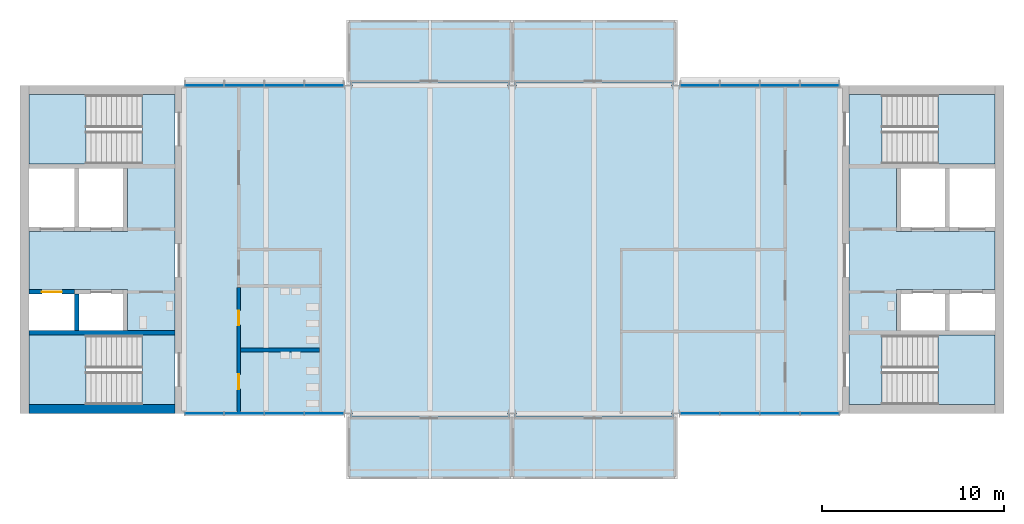
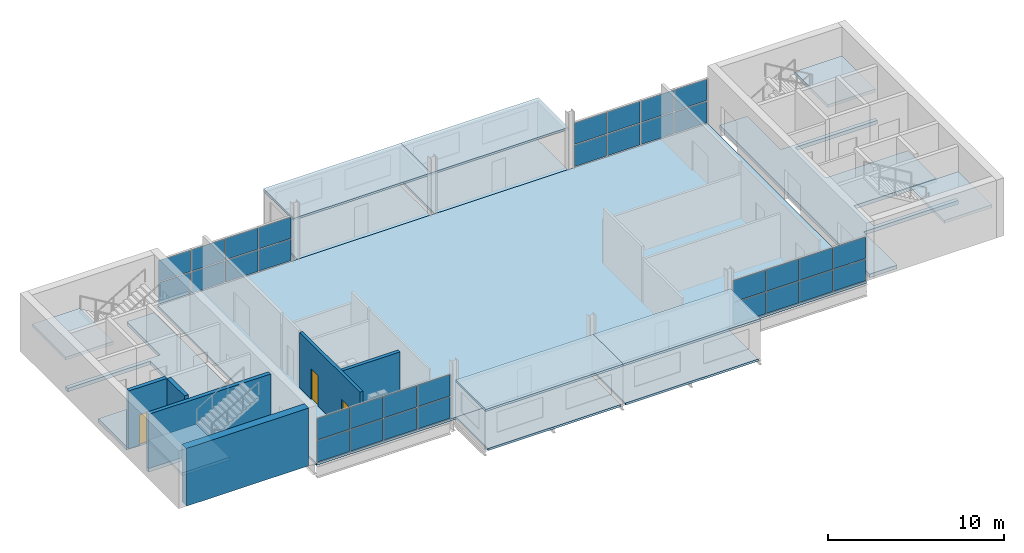
# One storey, part 4 of 10: 32 plates, 15 slabs, 6 walls, 3 doors, 3 openings, 8 elements without a shape of their own.
"""IFC4 building model written with IfcOpenShell, lengths in metres."""

from ifc_helpers import new_model, si_unit, direction, frame, frame_2d, origin, origin_2d, place, context, subcontext, project, spatial, polyline, rectangle, outline, extrude, material, layer, layer_set, type_object, element, fill, aggregate, save


model = new_model("IFC4")

# Units and contexts
model_context = context("Model", 3, precision=1e-05, world=origin(), true_north=direction((0.0, 1.0)))
body_context = subcontext(model_context, "Body", "Model", "MODEL_VIEW")
ifc_project = project(units=[si_unit("LENGTHUNIT", "METRE"), si_unit("AREAUNIT", "SQUARE_METRE"), si_unit("VOLUMEUNIT", "CUBIC_METRE"), si_unit("PLANEANGLEUNIT", "RADIAN"), si_unit("MASSUNIT", "GRAM", prefix="KILO")], contexts=[model_context])

# Site, building, storey
site_placement = place(None, origin())
site = spatial("IfcSite", under=ifc_project, at=site_placement, CompositionType="ELEMENT")
building_placement = place(site_placement, origin())
building = spatial("IfcBuilding", under=site, at=building_placement, Name="Corbel Yard City Hall", CompositionType="ELEMENT")
storey_placement = place(building_placement, frame((0.0, 0.0, 27.199951171875)))
storey = spatial("IfcBuildingStorey", under=building, at=storey_placement, Name="L06", CompositionType="ELEMENT", Elevation=27.199951171875)

# Slabs
ifc_material_1 = material(Name="Concrete N40 (40 MPa)", Category="concrete")
ifc_layer_1 = layer(ifc_material_1, 0.25)
ifc_layer_set_1 = layer_set([ifc_layer_1], Name="Concrete N40 (40 MPa)")
slab_type_1 = type_object("IfcSlabType", Name="CF1", PredefinedType="FLOOR", material=ifc_layer_set_1)
slab_1_placement = place(storey_placement, frame((0.0, 0.0, -0.25)))
element("IfcSlab", 1, at=slab_1_placement, inside=storey, type_object=slab_type_1, Name="Core floor slab", PredefinedType="FLOOR", context=body_context, shape_type="SweptSolid", body=[
    extrude(outline(polyline([(8.5, 116.5), (6.698974609375, 116.5), (6.698974609375, 112.699951171875), (0.5, 112.699951171875), (0.5, 112.449951171875), (5.89990234375, 112.449951171875), (5.89990234375, 109.0), (0.5, 109.0), (0.5, 105.800048828125), (5.89990234375, 105.800048828125), (5.89990234375, 103.550048828125), (0.5, 103.550048828125), (0.5, 103.300048828125), (6.698974609375, 103.300048828125), (6.698974609375, 99.5), (8.5, 99.5), (8.5, 116.5)])), origin(), (0.0, 0.0, 1.0), 0.25),
])
slab_2_placement = place(storey_placement, frame((0.0, 0.0, -0.25)))
element("IfcSlab", 2, at=slab_2_placement, inside=storey, type_object=slab_type_1, Name="Core floor slab", PredefinedType="FLOOR", context=body_context, shape_type="SweptSolid", body=[
    extrude(outline(polyline([(53.5, 103.300048828125), (53.5, 103.550048828125), (48.10009765625, 103.550048828125), (48.10009765625, 105.800048828125), (53.5, 105.800048828125), (53.5, 109.0), (48.10009765625, 109.0), (48.10009765625, 112.449951171875), (53.5, 112.449951171875), (53.5, 112.699951171875), (47.301025390625, 112.699951171875), (47.301025390625, 116.5), (45.5, 116.5), (45.5, 99.5), (47.301025390625, 99.5), (47.301025390625, 103.300048828125), (53.5, 103.300048828125)])), origin(), (0.0, 0.0, 1.0), 0.25),
])
ifc_layer_2 = layer(ifc_material_1, 0.14990234375)
ifc_layer_set_2 = layer_set([ifc_layer_2], Name="Concrete N40 (40 MPa)")
slab_type_2 = type_object("IfcSlabType", Name="Floor slab 150", PredefinedType="FLOOR", material=ifc_layer_set_2)
slab_3_placement = place(storey_placement, frame((0.0, 0.0, -0.14990234375)))
element("IfcSlab", 3, at=slab_3_placement, inside=storey, type_object=slab_type_2, Name="Tower floor slab L06", PredefinedType="FLOOR", context=body_context, shape_type="SweptSolid", body=[
    extrude(outline(polyline([(45.0, 99.0), (45.0, 117.0), (9.0, 117.0), (9.0, 99.0), (45.0, 99.0)])), origin(), (0.0, 0.0, 1.0), 0.14990234375),
])

# Stair, slab
stair_type = type_object("IfcStairType", Name="ST4", PredefinedType="HALF_TURN_STAIR", material=ifc_material_1)
stair_1_placement = place(storey_placement, origin())
stair_1 = element("IfcStair", 4, at=stair_1_placement, inside=storey, type_object=stair_type, Name="Exit stair ST-W1 L06", PredefinedType="HALF_TURN_STAIR")
ifc_layer_3 = layer(ifc_material_1, 0.199951171875)
ifc_layer_set_3 = layer_set([ifc_layer_3], Name="Concrete N40 (40 MPa)")
slab_type_3 = type_object("IfcSlabType", Name="LN1", PredefinedType="LANDING", material=ifc_layer_set_3)
slab_4_placement = place(storey_placement, frame((0.0, 0.0, 1.800048828125)))
slab_4 = element("IfcSlab", 5, at=slab_4_placement, type_object=slab_type_3, Name="ST-W1 landing 1", PredefinedType="LANDING", context=body_context, shape_type="SweptSolid", body=[
    extrude(outline(polyline([(0.5, 99.5), (3.6201171875, 99.5), (3.6201171875, 103.300048828125), (0.5, 103.300048828125), (0.5, 99.5)])), origin(), (0.0, 0.0, 1.0), 0.199951171875),
])
aggregate(stair_1, [slab_4])

stair_2_placement = place(storey_placement, origin())
stair_2 = element("IfcStair", 6, at=stair_2_placement, inside=storey, type_object=stair_type, Name="Exit stair ST-W2 L06", PredefinedType="HALF_TURN_STAIR")
slab_5_placement = place(storey_placement, frame((0.0, 0.0, 1.800048828125)))
slab_5 = element("IfcSlab", 7, at=slab_5_placement, type_object=slab_type_3, Name="ST-W2 landing 1", PredefinedType="LANDING", context=body_context, shape_type="SweptSolid", body=[
    extrude(outline(polyline([(0.5, 112.699951171875), (3.6201171875, 112.699951171875), (3.6201171875, 116.5), (0.5, 116.5), (0.5, 112.699951171875)])), origin(), (0.0, 0.0, 1.0), 0.199951171875),
])
aggregate(stair_2, [slab_5])

stair_3_placement = place(storey_placement, origin())
stair_3 = element("IfcStair", 8, at=stair_3_placement, inside=storey, type_object=stair_type, Name="Exit stair ST-E1 L06", PredefinedType="HALF_TURN_STAIR")
slab_6_placement = place(storey_placement, frame((0.0, 0.0, 1.800048828125)))
slab_6 = element("IfcSlab", 9, at=slab_6_placement, type_object=slab_type_3, Name="ST-E1 landing 1", PredefinedType="LANDING", context=body_context, shape_type="SweptSolid", body=[
    extrude(outline(polyline([(50.3798828125, 99.5), (53.5, 99.5), (53.5, 103.300048828125), (50.3798828125, 103.300048828125), (50.3798828125, 99.5)])), origin(), (0.0, 0.0, 1.0), 0.199951171875),
])
aggregate(stair_3, [slab_6])

stair_4_placement = place(storey_placement, origin())
stair_4 = element("IfcStair", 10, at=stair_4_placement, inside=storey, type_object=stair_type, Name="Exit stair ST-E2 L06", PredefinedType="HALF_TURN_STAIR")
slab_7_placement = place(storey_placement, frame((0.0, 0.0, 1.800048828125)))
slab_7 = element("IfcSlab", 11, at=slab_7_placement, type_object=slab_type_3, Name="ST-E2 landing 1", PredefinedType="LANDING", context=body_context, shape_type="SweptSolid", body=[
    extrude(outline(polyline([(50.3798828125, 112.699951171875), (53.5, 112.699951171875), (53.5, 116.5), (50.3798828125, 116.5), (50.3798828125, 112.699951171875)])), origin(), (0.0, 0.0, 1.0), 0.199951171875),
])
aggregate(stair_4, [slab_7])

# Slabs
ifc_material_2 = material(Name="Concrete N32 (32 MPa)", Category="concrete")
ifc_layer_4 = layer(ifc_material_2, 0.14990234375)
ifc_layer_set_4 = layer_set([ifc_layer_4], Name="Concrete N32 (32 MPa)")
slab_type_4 = type_object("IfcSlabType", Name="PF1", PredefinedType="FLOOR", material=ifc_layer_set_4)
slab_8_placement = place(storey_placement, frame((0.0, 0.0, -0.14990234375)))
element("IfcSlab", 12, at=slab_8_placement, inside=storey, type_object=slab_type_4, Name="Pod floor slab L06", PredefinedType="FLOOR", context=body_context, shape_type="SweptSolid", body=[
    extrude(outline(polyline([(18.14990234375, 95.39990234375), (26.85009765625, 95.39990234375), (26.85009765625, 99.0), (18.14990234375, 99.0), (18.14990234375, 95.39990234375)])), origin(), (0.0, 0.0, 1.0), 0.14990234375),
])
slab_9_placement = place(storey_placement, frame((0.0, 0.0, -0.14990234375)))
element("IfcSlab", 13, at=slab_9_placement, inside=storey, type_object=slab_type_4, Name="Pod floor slab L06", PredefinedType="FLOOR", context=body_context, shape_type="SweptSolid", body=[
    extrude(outline(polyline([(27.14990234375, 95.39990234375), (35.85009765625, 95.39990234375), (35.85009765625, 99.0), (27.14990234375, 99.0), (27.14990234375, 95.39990234375)])), origin(), (0.0, 0.0, 1.0), 0.14990234375),
])
slab_10_placement = place(storey_placement, frame((0.0, 0.0, -0.14990234375)))
element("IfcSlab", 14, at=slab_10_placement, inside=storey, type_object=slab_type_4, Name="Pod floor slab L06", PredefinedType="FLOOR", context=body_context, shape_type="SweptSolid", body=[
    extrude(outline(polyline([(18.14990234375, 117.0), (26.85009765625, 117.0), (26.85009765625, 120.60009765625), (18.14990234375, 120.60009765625), (18.14990234375, 117.0)])), origin(), (0.0, 0.0, 1.0), 0.14990234375),
])
slab_11_placement = place(storey_placement, frame((0.0, 0.0, -0.14990234375)))
element("IfcSlab", 15, at=slab_11_placement, inside=storey, type_object=slab_type_4, Name="Pod floor slab L06", PredefinedType="FLOOR", context=body_context, shape_type="SweptSolid", body=[
    extrude(outline(polyline([(27.14990234375, 117.0), (35.85009765625, 117.0), (35.85009765625, 120.60009765625), (27.14990234375, 120.60009765625), (27.14990234375, 117.0)])), origin(), (0.0, 0.0, 1.0), 0.14990234375),
])
ifc_layer_5 = layer(ifc_material_2, 0.14990234375)
ifc_layer_set_5 = layer_set([ifc_layer_5], Name="Concrete N32 (32 MPa)")
slab_type_5 = type_object("IfcSlabType", Name="PH1", PredefinedType="ROOF", material=ifc_layer_set_5)
slab_12_placement = place(storey_placement, frame((0.0, 0.0, 2.60009765625)))
element("IfcSlab", 16, at=slab_12_placement, inside=storey, type_object=slab_type_5, Name="Pod roof slab L06", PredefinedType="ROOF", context=body_context, shape_type="SweptSolid", body=[
    extrude(outline(polyline([(18.0, 95.39990234375), (27.0, 95.39990234375), (27.0, 98.800048828125), (18.0, 98.800048828125), (18.0, 95.39990234375)])), origin(), (0.0, 0.0, 1.0), 0.14990234375),
])
slab_13_placement = place(storey_placement, frame((0.0, 0.0, 2.60009765625)))
element("IfcSlab", 17, at=slab_13_placement, inside=storey, type_object=slab_type_5, Name="Pod roof slab L06", PredefinedType="ROOF", context=body_context, shape_type="SweptSolid", body=[
    extrude(outline(polyline([(27.0, 95.39990234375), (36.0, 95.39990234375), (36.0, 98.800048828125), (27.0, 98.800048828125), (27.0, 95.39990234375)])), origin(), (0.0, 0.0, 1.0), 0.14990234375),
])
slab_14_placement = place(storey_placement, frame((0.0, 0.0, 2.60009765625)))
element("IfcSlab", 18, at=slab_14_placement, inside=storey, type_object=slab_type_5, Name="Pod roof slab L06", PredefinedType="ROOF", context=body_context, shape_type="SweptSolid", body=[
    extrude(outline(polyline([(18.0, 120.60009765625), (18.0, 117.199951171875), (27.0, 117.199951171875), (27.0, 120.60009765625), (18.0, 120.60009765625)])), origin(), (0.0, 0.0, 1.0), 0.14990234375),
])
slab_15_placement = place(storey_placement, frame((0.0, 0.0, 2.60009765625)))
element("IfcSlab", 19, at=slab_15_placement, inside=storey, type_object=slab_type_5, Name="Pod roof slab L06", PredefinedType="ROOF", context=body_context, shape_type="SweptSolid", body=[
    extrude(outline(polyline([(27.0, 120.60009765625), (27.0, 117.199951171875), (36.0, 117.199951171875), (36.0, 120.60009765625), (27.0, 120.60009765625)])), origin(), (0.0, 0.0, 1.0), 0.14990234375),
])

# Curtain wall, plates
ifc_material_3 = material(Name="Aluminium extrusion", Category="aluminium")
ifc_layer_6 = layer(ifc_material_3, 0.14990234375)
ifc_layer_set_6 = layer_set([ifc_layer_6], Name="Aluminium extrusion")
curtain_wall_type_1 = type_object("IfcCurtainWallType", Name="CW2", PredefinedType="USERDEFINED", material=ifc_layer_set_6)
curtain_wall_1_placement = place(storey_placement, origin())
curtain_wall_1 = element("IfcCurtainWall", 20, at=curtain_wall_1_placement, inside=storey, type_object=curtain_wall_type_1, Name="Curtain wall CW2 L06", ObjectType="CURTAIN WALL", PredefinedType="USERDEFINED")
ifc_material_4 = material(Name="Double glazed low-e glass unit", Category="glass")
ifc_layer_7 = layer(ifc_material_4, 0.028076171875)
ifc_layer_set_7 = layer_set([ifc_layer_7], Name="Double glazed low-e glass unit")
plate_type_1 = type_object("IfcPlateType", Name="PN2", PredefinedType="CURTAIN_PANEL", material=ifc_layer_set_7)
plate_1_placement = place(storey_placement, frame((10.115478515625, 99.0, 0.06494140625), z_axis=(0.0, 0.0, 1.0), x_axis=(1.0, 0.0, 0.0)))
plate_1 = element("IfcPlate", 21, at=plate_1_placement, type_object=plate_type_1, Name="CW2 panel 1.1", PredefinedType="CURTAIN_PANEL", context=body_context, shape_type="SweptSolid", body=[
    extrude(rectangle(XDim=2.100830078125, YDim=0.028076171875, at=origin_2d()), origin(), (0.0, 0.0, 1.0), 1.4775390625),
])
plate_2_placement = place(storey_placement, frame((10.115478515625, 99.0, 1.607421875), z_axis=(0.0, 0.0, 1.0), x_axis=(1.0, 0.0, 0.0)))
plate_2 = element("IfcPlate", 22, at=plate_2_placement, type_object=plate_type_1, Name="CW2 panel 1.2", PredefinedType="CURTAIN_PANEL", context=body_context, shape_type="SweptSolid", body=[
    extrude(rectangle(XDim=2.100830078125, YDim=0.028076171875, at=origin_2d()), origin(), (0.0, 0.0, 1.0), 1.4775390625),
])
plate_3_placement = place(storey_placement, frame((12.29736328125, 99.0, 0.06494140625), z_axis=(0.0, 0.0, 1.0), x_axis=(1.0, 0.0, 0.0)))
plate_3 = element("IfcPlate", 23, at=plate_3_placement, type_object=plate_type_1, Name="CW2 panel 2.1", PredefinedType="CURTAIN_PANEL", context=body_context, shape_type="SweptSolid", body=[
    extrude(rectangle(XDim=2.13330078125, YDim=0.028076171875, at=origin_2d()), origin(), (0.0, 0.0, 1.0), 1.4775390625),
])
plate_4_placement = place(storey_placement, frame((12.29736328125, 99.0, 1.607421875), z_axis=(0.0, 0.0, 1.0), x_axis=(1.0, 0.0, 0.0)))
plate_4 = element("IfcPlate", 24, at=plate_4_placement, type_object=plate_type_1, Name="CW2 panel 2.2", PredefinedType="CURTAIN_PANEL", context=body_context, shape_type="SweptSolid", body=[
    extrude(rectangle(XDim=2.13330078125, YDim=0.028076171875, at=origin_2d()), origin(), (0.0, 0.0, 1.0), 1.4775390625),
])
plate_5_placement = place(storey_placement, frame((14.49560546875, 99.0, 0.06494140625), z_axis=(0.0, 0.0, 1.0), x_axis=(1.0, 0.0, 0.0)))
plate_5 = element("IfcPlate", 25, at=plate_5_placement, type_object=plate_type_1, Name="CW2 panel 3.1", PredefinedType="CURTAIN_PANEL", context=body_context, shape_type="SweptSolid", body=[
    extrude(rectangle(XDim=2.13330078125, YDim=0.028076171875, at=origin_2d()), origin(), (0.0, 0.0, 1.0), 1.4775390625),
])
plate_6_placement = place(storey_placement, frame((14.49560546875, 99.0, 1.607421875), z_axis=(0.0, 0.0, 1.0), x_axis=(1.0, 0.0, 0.0)))
plate_6 = element("IfcPlate", 26, at=plate_6_placement, type_object=plate_type_1, Name="CW2 panel 3.2", PredefinedType="CURTAIN_PANEL", context=body_context, shape_type="SweptSolid", body=[
    extrude(rectangle(XDim=2.13330078125, YDim=0.028076171875, at=origin_2d()), origin(), (0.0, 0.0, 1.0), 1.4775390625),
])
plate_7_placement = place(storey_placement, frame((16.677734375, 99.0, 0.06494140625), z_axis=(0.0, 0.0, 1.0), x_axis=(1.0, 0.0, 0.0)))
plate_7 = element("IfcPlate", 27, at=plate_7_placement, type_object=plate_type_1, Name="CW2 panel 4.1", PredefinedType="CURTAIN_PANEL", context=body_context, shape_type="SweptSolid", body=[
    extrude(rectangle(XDim=2.100830078125, YDim=0.028076171875, at=origin_2d()), origin(), (0.0, 0.0, 1.0), 1.4775390625),
])
plate_8_placement = place(storey_placement, frame((16.677734375, 99.0, 1.607421875), z_axis=(0.0, 0.0, 1.0), x_axis=(1.0, 0.0, 0.0)))
plate_8 = element("IfcPlate", 28, at=plate_8_placement, type_object=plate_type_1, Name="CW2 panel 4.2", PredefinedType="CURTAIN_PANEL", context=body_context, shape_type="SweptSolid", body=[
    extrude(rectangle(XDim=2.100830078125, YDim=0.028076171875, at=origin_2d()), origin(), (0.0, 0.0, 1.0), 1.4775390625),
])
aggregate(curtain_wall_1, [plate_1, plate_2, plate_3, plate_4, plate_5, plate_6, plate_7, plate_8])

curtain_wall_2_placement = place(storey_placement, origin())
curtain_wall_2 = element("IfcCurtainWall", 29, at=curtain_wall_2_placement, inside=storey, type_object=curtain_wall_type_1, Name="Curtain wall CW2 L06", ObjectType="CURTAIN WALL", PredefinedType="USERDEFINED")
plate_9_placement = place(storey_placement, frame((37.322265625, 99.0, 0.06494140625), z_axis=(0.0, 0.0, 1.0), x_axis=(1.0, 0.0, 0.0)))
plate_9 = element("IfcPlate", 30, at=plate_9_placement, type_object=plate_type_1, Name="CW2 panel 1.1", PredefinedType="CURTAIN_PANEL", context=body_context, shape_type="SweptSolid", body=[
    extrude(rectangle(XDim=2.100830078125, YDim=0.028076171875, at=origin_2d()), origin(), (0.0, 0.0, 1.0), 1.4775390625),
])
plate_10_placement = place(storey_placement, frame((37.322265625, 99.0, 1.607421875), z_axis=(0.0, 0.0, 1.0), x_axis=(1.0, 0.0, 0.0)))
plate_10 = element("IfcPlate", 31, at=plate_10_placement, type_object=plate_type_1, Name="CW2 panel 1.2", PredefinedType="CURTAIN_PANEL", context=body_context, shape_type="SweptSolid", body=[
    extrude(rectangle(XDim=2.100830078125, YDim=0.028076171875, at=origin_2d()), origin(), (0.0, 0.0, 1.0), 1.4775390625),
])
plate_11_placement = place(storey_placement, frame((39.50439453125, 99.0, 0.06494140625), z_axis=(0.0, 0.0, 1.0), x_axis=(1.0, 0.0, 0.0)))
plate_11 = element("IfcPlate", 32, at=plate_11_placement, type_object=plate_type_1, Name="CW2 panel 2.1", PredefinedType="CURTAIN_PANEL", context=body_context, shape_type="SweptSolid", body=[
    extrude(rectangle(XDim=2.13330078125, YDim=0.028076171875, at=origin_2d()), origin(), (0.0, 0.0, 1.0), 1.4775390625),
])
plate_12_placement = place(storey_placement, frame((39.50439453125, 99.0, 1.607421875), z_axis=(0.0, 0.0, 1.0), x_axis=(1.0, 0.0, 0.0)))
plate_12 = element("IfcPlate", 33, at=plate_12_placement, type_object=plate_type_1, Name="CW2 panel 2.2", PredefinedType="CURTAIN_PANEL", context=body_context, shape_type="SweptSolid", body=[
    extrude(rectangle(XDim=2.13330078125, YDim=0.028076171875, at=origin_2d()), origin(), (0.0, 0.0, 1.0), 1.4775390625),
])
plate_13_placement = place(storey_placement, frame((41.70263671875, 99.0, 0.06494140625), z_axis=(0.0, 0.0, 1.0), x_axis=(1.0, 0.0, 0.0)))
plate_13 = element("IfcPlate", 34, at=plate_13_placement, type_object=plate_type_1, Name="CW2 panel 3.1", PredefinedType="CURTAIN_PANEL", context=body_context, shape_type="SweptSolid", body=[
    extrude(rectangle(XDim=2.13330078125, YDim=0.028076171875, at=origin_2d()), origin(), (0.0, 0.0, 1.0), 1.4775390625),
])
plate_14_placement = place(storey_placement, frame((41.70263671875, 99.0, 1.607421875), z_axis=(0.0, 0.0, 1.0), x_axis=(1.0, 0.0, 0.0)))
plate_14 = element("IfcPlate", 35, at=plate_14_placement, type_object=plate_type_1, Name="CW2 panel 3.2", PredefinedType="CURTAIN_PANEL", context=body_context, shape_type="SweptSolid", body=[
    extrude(rectangle(XDim=2.13330078125, YDim=0.028076171875, at=origin_2d()), origin(), (0.0, 0.0, 1.0), 1.4775390625),
])
plate_15_placement = place(storey_placement, frame((43.884521484375, 99.0, 0.06494140625), z_axis=(0.0, 0.0, 1.0), x_axis=(1.0, 0.0, 0.0)))
plate_15 = element("IfcPlate", 36, at=plate_15_placement, type_object=plate_type_1, Name="CW2 panel 4.1", PredefinedType="CURTAIN_PANEL", context=body_context, shape_type="SweptSolid", body=[
    extrude(rectangle(XDim=2.100830078125, YDim=0.028076171875, at=origin_2d()), origin(), (0.0, 0.0, 1.0), 1.4775390625),
])
plate_16_placement = place(storey_placement, frame((43.884521484375, 99.0, 1.607421875), z_axis=(0.0, 0.0, 1.0), x_axis=(1.0, 0.0, 0.0)))
plate_16 = element("IfcPlate", 37, at=plate_16_placement, type_object=plate_type_1, Name="CW2 panel 4.2", PredefinedType="CURTAIN_PANEL", context=body_context, shape_type="SweptSolid", body=[
    extrude(rectangle(XDim=2.100830078125, YDim=0.028076171875, at=origin_2d()), origin(), (0.0, 0.0, 1.0), 1.4775390625),
])
aggregate(curtain_wall_2, [plate_9, plate_10, plate_11, plate_12, plate_13, plate_14, plate_15, plate_16])

ifc_layer_8 = layer(ifc_material_3, 0.179931640625)
ifc_layer_set_8 = layer_set([ifc_layer_8], Name="Aluminium extrusion")
curtain_wall_type_2 = type_object("IfcCurtainWallType", Name="CW6", PredefinedType="USERDEFINED", material=ifc_layer_set_8)
curtain_wall_3_placement = place(storey_placement, origin())
curtain_wall_3 = element("IfcCurtainWall", 38, at=curtain_wall_3_placement, inside=storey, type_object=curtain_wall_type_2, Name="Curtain wall CW6 L06", ObjectType="CURTAIN WALL", PredefinedType="USERDEFINED")
ifc_material_5 = material(Name="Double glazed low-e glass unit, ceramic fritted", Category="glass")
ifc_layer_9 = layer(ifc_material_5, 0.02392578125)
ifc_layer_set_9 = layer_set([ifc_layer_9], Name="Double glazed low-e glass unit, ceramic fritted")
plate_type_2 = type_object("IfcPlateType", Name="PN7", PredefinedType="CURTAIN_PANEL", material=ifc_layer_set_9)
plate_17_placement = place(storey_placement, frame((10.115478515625, 117.0, 0.06494140625), z_axis=(0.0, 0.0, 1.0), x_axis=(1.0, 0.0, 0.0)))
plate_17 = element("IfcPlate", 39, at=plate_17_placement, type_object=plate_type_2, Name="CW6 panel 1.1", PredefinedType="CURTAIN_PANEL", context=body_context, shape_type="SweptSolid", body=[
    extrude(rectangle(XDim=2.100830078125, YDim=0.02392578125, at=origin_2d()), origin(), (0.0, 0.0, 1.0), 1.4775390625),
])
plate_18_placement = place(storey_placement, frame((10.115478515625, 117.0, 1.607421875), z_axis=(0.0, 0.0, 1.0), x_axis=(1.0, 0.0, 0.0)))
plate_18 = element("IfcPlate", 40, at=plate_18_placement, type_object=plate_type_2, Name="CW6 panel 1.2", PredefinedType="CURTAIN_PANEL", context=body_context, shape_type="SweptSolid", body=[
    extrude(rectangle(XDim=2.100830078125, YDim=0.02392578125, at=origin_2d()), origin(), (0.0, 0.0, 1.0), 1.4775390625),
])
plate_19_placement = place(storey_placement, frame((12.29736328125, 117.0, 0.06494140625), z_axis=(0.0, 0.0, 1.0), x_axis=(1.0, 0.0, 0.0)))
plate_19 = element("IfcPlate", 41, at=plate_19_placement, type_object=plate_type_2, Name="CW6 panel 2.1", PredefinedType="CURTAIN_PANEL", context=body_context, shape_type="SweptSolid", body=[
    extrude(rectangle(XDim=2.13330078125, YDim=0.02392578125, at=origin_2d()), origin(), (0.0, 0.0, 1.0), 1.4775390625),
])
plate_20_placement = place(storey_placement, frame((12.29736328125, 117.0, 1.607421875), z_axis=(0.0, 0.0, 1.0), x_axis=(1.0, 0.0, 0.0)))
plate_20 = element("IfcPlate", 42, at=plate_20_placement, type_object=plate_type_2, Name="CW6 panel 2.2", PredefinedType="CURTAIN_PANEL", context=body_context, shape_type="SweptSolid", body=[
    extrude(rectangle(XDim=2.13330078125, YDim=0.02392578125, at=origin_2d()), origin(), (0.0, 0.0, 1.0), 1.4775390625),
])
plate_21_placement = place(storey_placement, frame((14.49560546875, 117.0, 0.06494140625), z_axis=(0.0, 0.0, 1.0), x_axis=(1.0, 0.0, 0.0)))
plate_21 = element("IfcPlate", 43, at=plate_21_placement, type_object=plate_type_2, Name="CW6 panel 3.1", PredefinedType="CURTAIN_PANEL", context=body_context, shape_type="SweptSolid", body=[
    extrude(rectangle(XDim=2.13330078125, YDim=0.02392578125, at=origin_2d()), origin(), (0.0, 0.0, 1.0), 1.4775390625),
])
plate_22_placement = place(storey_placement, frame((14.49560546875, 117.0, 1.607421875), z_axis=(0.0, 0.0, 1.0), x_axis=(1.0, 0.0, 0.0)))
plate_22 = element("IfcPlate", 44, at=plate_22_placement, type_object=plate_type_2, Name="CW6 panel 3.2", PredefinedType="CURTAIN_PANEL", context=body_context, shape_type="SweptSolid", body=[
    extrude(rectangle(XDim=2.13330078125, YDim=0.02392578125, at=origin_2d()), origin(), (0.0, 0.0, 1.0), 1.4775390625),
])
plate_23_placement = place(storey_placement, frame((16.677734375, 117.0, 0.06494140625), z_axis=(0.0, 0.0, 1.0), x_axis=(1.0, 0.0, 0.0)))
plate_23 = element("IfcPlate", 45, at=plate_23_placement, type_object=plate_type_2, Name="CW6 panel 4.1", PredefinedType="CURTAIN_PANEL", context=body_context, shape_type="SweptSolid", body=[
    extrude(rectangle(XDim=2.100830078125, YDim=0.02392578125, at=origin_2d()), origin(), (0.0, 0.0, 1.0), 1.4775390625),
])
plate_24_placement = place(storey_placement, frame((16.677734375, 117.0, 1.607421875), z_axis=(0.0, 0.0, 1.0), x_axis=(1.0, 0.0, 0.0)))
plate_24 = element("IfcPlate", 46, at=plate_24_placement, type_object=plate_type_2, Name="CW6 panel 4.2", PredefinedType="CURTAIN_PANEL", context=body_context, shape_type="SweptSolid", body=[
    extrude(rectangle(XDim=2.100830078125, YDim=0.02392578125, at=origin_2d()), origin(), (0.0, 0.0, 1.0), 1.4775390625),
])
aggregate(curtain_wall_3, [plate_17, plate_18, plate_19, plate_20, plate_21, plate_22, plate_23, plate_24])

curtain_wall_4_placement = place(storey_placement, origin())
curtain_wall_4 = element("IfcCurtainWall", 47, at=curtain_wall_4_placement, inside=storey, type_object=curtain_wall_type_2, Name="Curtain wall CW6 L06", ObjectType="CURTAIN WALL", PredefinedType="USERDEFINED")
plate_25_placement = place(storey_placement, frame((37.322265625, 117.0, 0.06494140625), z_axis=(0.0, 0.0, 1.0), x_axis=(1.0, 0.0, 0.0)))
plate_25 = element("IfcPlate", 48, at=plate_25_placement, type_object=plate_type_2, Name="CW6 panel 1.1", PredefinedType="CURTAIN_PANEL", context=body_context, shape_type="SweptSolid", body=[
    extrude(rectangle(XDim=2.100830078125, YDim=0.02392578125, at=origin_2d()), origin(), (0.0, 0.0, 1.0), 1.4775390625),
])
plate_26_placement = place(storey_placement, frame((37.322265625, 117.0, 1.607421875), z_axis=(0.0, 0.0, 1.0), x_axis=(1.0, 0.0, 0.0)))
plate_26 = element("IfcPlate", 49, at=plate_26_placement, type_object=plate_type_2, Name="CW6 panel 1.2", PredefinedType="CURTAIN_PANEL", context=body_context, shape_type="SweptSolid", body=[
    extrude(rectangle(XDim=2.100830078125, YDim=0.02392578125, at=origin_2d()), origin(), (0.0, 0.0, 1.0), 1.4775390625),
])
plate_27_placement = place(storey_placement, frame((39.50439453125, 117.0, 0.06494140625), z_axis=(0.0, 0.0, 1.0), x_axis=(1.0, 0.0, 0.0)))
plate_27 = element("IfcPlate", 50, at=plate_27_placement, type_object=plate_type_2, Name="CW6 panel 2.1", PredefinedType="CURTAIN_PANEL", context=body_context, shape_type="SweptSolid", body=[
    extrude(rectangle(XDim=2.13330078125, YDim=0.02392578125, at=origin_2d()), origin(), (0.0, 0.0, 1.0), 1.4775390625),
])
plate_28_placement = place(storey_placement, frame((39.50439453125, 117.0, 1.607421875), z_axis=(0.0, 0.0, 1.0), x_axis=(1.0, 0.0, 0.0)))
plate_28 = element("IfcPlate", 51, at=plate_28_placement, type_object=plate_type_2, Name="CW6 panel 2.2", PredefinedType="CURTAIN_PANEL", context=body_context, shape_type="SweptSolid", body=[
    extrude(rectangle(XDim=2.13330078125, YDim=0.02392578125, at=origin_2d()), origin(), (0.0, 0.0, 1.0), 1.4775390625),
])
plate_29_placement = place(storey_placement, frame((41.70263671875, 117.0, 0.06494140625), z_axis=(0.0, 0.0, 1.0), x_axis=(1.0, 0.0, 0.0)))
plate_29 = element("IfcPlate", 52, at=plate_29_placement, type_object=plate_type_2, Name="CW6 panel 3.1", PredefinedType="CURTAIN_PANEL", context=body_context, shape_type="SweptSolid", body=[
    extrude(rectangle(XDim=2.13330078125, YDim=0.02392578125, at=origin_2d()), origin(), (0.0, 0.0, 1.0), 1.4775390625),
])
plate_30_placement = place(storey_placement, frame((41.70263671875, 117.0, 1.607421875), z_axis=(0.0, 0.0, 1.0), x_axis=(1.0, 0.0, 0.0)))
plate_30 = element("IfcPlate", 53, at=plate_30_placement, type_object=plate_type_2, Name="CW6 panel 3.2", PredefinedType="CURTAIN_PANEL", context=body_context, shape_type="SweptSolid", body=[
    extrude(rectangle(XDim=2.13330078125, YDim=0.02392578125, at=origin_2d()), origin(), (0.0, 0.0, 1.0), 1.4775390625),
])
plate_31_placement = place(storey_placement, frame((43.884521484375, 117.0, 0.06494140625), z_axis=(0.0, 0.0, 1.0), x_axis=(1.0, 0.0, 0.0)))
plate_31 = element("IfcPlate", 54, at=plate_31_placement, type_object=plate_type_2, Name="CW6 panel 4.1", PredefinedType="CURTAIN_PANEL", context=body_context, shape_type="SweptSolid", body=[
    extrude(rectangle(XDim=2.100830078125, YDim=0.02392578125, at=origin_2d()), origin(), (0.0, 0.0, 1.0), 1.4775390625),
])
plate_32_placement = place(storey_placement, frame((43.884521484375, 117.0, 1.607421875), z_axis=(0.0, 0.0, 1.0), x_axis=(1.0, 0.0, 0.0)))
plate_32 = element("IfcPlate", 55, at=plate_32_placement, type_object=plate_type_2, Name="CW6 panel 4.2", PredefinedType="CURTAIN_PANEL", context=body_context, shape_type="SweptSolid", body=[
    extrude(rectangle(XDim=2.100830078125, YDim=0.02392578125, at=origin_2d()), origin(), (0.0, 0.0, 1.0), 1.4775390625),
])
aggregate(curtain_wall_4, [plate_25, plate_26, plate_27, plate_28, plate_29, plate_30, plate_31, plate_32])

# Walls
ifc_layer_10 = layer(ifc_material_1, 0.25)
ifc_layer_set_10 = layer_set([ifc_layer_10], Name="Concrete N40 (40 MPa)")
wall_type_1 = type_object("IfcWallType", Name="IW2", PredefinedType="SOLIDWALL", material=ifc_layer_set_10)
wall_1_placement = place(storey_placement, frame((8.5, 103.425048828125, 0.0), z_axis=(0.0, 0.0, 1.0), x_axis=(-1.0, 0.0, 0.0)))
element("IfcWall", 56, at=wall_1_placement, inside=storey, type_object=wall_type_1, Name="Stair enclosure wall", PredefinedType="SOLIDWALL", context=body_context, shape_type="SweptSolid", body=[
    extrude(rectangle(XDim=8.0, YDim=0.25, at=frame_2d((4.0, 0.0))), origin(), (0.0, 0.0, 1.0), 3.75),
])
wall_2_placement = place(storey_placement, frame((3.125, 103.550048828125, 0.0), z_axis=(0.0, 0.0, 1.0), x_axis=(0.0, 1.0, 0.0)))
element("IfcWall", 57, at=wall_2_placement, inside=storey, type_object=wall_type_1, Name="Lift LP22 shaft wall", PredefinedType="SOLIDWALL", context=body_context, shape_type="SweptSolid", body=[
    extrude(rectangle(XDim=2.0, YDim=0.25, at=frame_2d((1.0, 0.0))), origin(), (0.0, 0.0, 1.0), 4.0),
])

# Wall, opening, door
wall_3_placement = place(storey_placement, frame((3.0, 105.675048828125, 0.0), z_axis=(0.0, 0.0, 1.0), x_axis=(-1.0, 0.0, 0.0)))
wall_3 = element("IfcWall", 58, at=wall_3_placement, inside=storey, type_object=wall_type_1, Name="Lift LP23 shaft wall", PredefinedType="SOLIDWALL", context=body_context, shape_type="SweptSolid", body=[
    extrude(rectangle(XDim=2.5, YDim=0.25, at=frame_2d((1.25, 0.0))), origin(), (0.0, 0.0, 1.0), 4.0),
])
opening_1_placement = place(wall_3_placement, frame((0.699951171875, 0.0, 0.0)))
opening_1 = element("IfcOpeningElement", 59, at=opening_1_placement, cuts=wall_3, Name="Opening T1-006", PredefinedType="OPENING", context=body_context, shape_type="SweptSolid", body=[
    extrude(rectangle(XDim=1.10009765625, YDim=2.10009765625, at=frame_2d((0.550048828125, 1.050048828125))), frame((0.0, 0.135009765625, 0.0), z_axis=(0.0, -1.0, 0.0), x_axis=(1.0, 0.0, 0.0)), (0.0, 0.0, 1.0), 0.27001953125),
])
ifc_material_6 = material(Name="Stainless steel Grade 316", Category="steel")
door_type_1 = type_object("IfcDoorType", Name="LD1", OperationType="DOUBLE_DOOR_SLIDING", PredefinedType="DOOR", material=ifc_material_6)
door_1_placement = place(opening_1_placement, origin())
door_1 = element("IfcDoor", 60, at=door_1_placement, inside=storey, type_object=door_type_1, Name="Lift LP23 landing door", OperationType="DOUBLE_DOOR_SLIDING", OverallHeight=2.10009765625, OverallWidth=1.10009765625, PredefinedType="DOOR", context=body_context, shape_type="SweptSolid", body=[
    extrude(rectangle(XDim=1.10009765625, YDim=2.10009765625, at=frame_2d((0.550048828125, 1.050048828125))), frame((0.0, 0.02490234375, 0.0), z_axis=(0.0, -1.0, 0.0), x_axis=(1.0, 0.0, 0.0)), (0.0, 0.0, 1.0), 0.050048828125),
])
fill(opening_1, door_1)

# Wall, openings, doors
ifc_material_7 = material(Name="Gypsum plasterboard", Category="gypsum")
ifc_layer_11 = layer(ifc_material_7, 0.031982421875)
ifc_material_8 = material(Name="Steel Grade G550 (550 MPa yield)", Category="steel")
ifc_layer_12 = layer(ifc_material_8, 0.135986328125)
ifc_layer_13 = layer(ifc_material_7, 0.031982421875)
ifc_layer_set_11 = layer_set([ifc_layer_11, ifc_layer_12, ifc_layer_13], Name="Steel Grade G550 (550 MPa yield)")
wall_type_2 = type_object("IfcWallType", Name="PT2", PredefinedType="PARTITIONING", material=ifc_layer_set_11)
wall_4_placement = place(storey_placement, frame((12.0, 99.074951171875, 0.0), z_axis=(0.0, 0.0, 1.0), x_axis=(0.0, 1.0, 0.0)))
wall_4 = element("IfcWall", 61, at=wall_4_placement, inside=storey, type_object=wall_type_2, Name="Acoustic wall", PredefinedType="PARTITIONING", context=body_context, shape_type="SweptSolid", body=[
    extrude(rectangle(XDim=6.844970703125, YDim=0.199951171875, at=frame_2d((3.42236328125, 0.0))), origin(), (0.0, 0.0, 1.0), 3.85009765625),
])
opening_2_placement = place(wall_4_placement, frame((1.27490234375, 0.0, 0.0)))
opening_2 = element("IfcOpeningElement", 62, at=opening_2_placement, cuts=wall_4, Name="Opening T1-013", PredefinedType="OPENING", context=body_context, shape_type="SweptSolid", body=[
    extrude(rectangle(XDim=0.800048828125, YDim=2.10009765625, at=frame_2d((0.39990234375, 1.050048828125))), frame((0.0, 0.10986328125, 0.0), z_axis=(0.0, -1.0, 0.0), x_axis=(1.0, 0.0, 0.0)), (0.0, 0.0, 1.0), 0.219970703125),
])
opening_3_placement = place(wall_4_placement, frame((4.77490234375, 0.0, 0.0)))
opening_3 = element("IfcOpeningElement", 63, at=opening_3_placement, cuts=wall_4, Name="Opening T1-014", PredefinedType="OPENING", context=body_context, shape_type="SweptSolid", body=[
    extrude(rectangle(XDim=0.800048828125, YDim=2.10009765625, at=frame_2d((0.39990234375, 1.050048828125))), frame((0.0, 0.10986328125, 0.0), z_axis=(0.0, -1.0, 0.0), x_axis=(1.0, 0.0, 0.0)), (0.0, 0.0, 1.0), 0.219970703125),
])
ifc_material_9 = material(Name="Timber", Category="wood")
door_type_2 = type_object("IfcDoorType", Name="D44", OperationType="SINGLE_SWING_LEFT", PredefinedType="DOOR", material=ifc_material_9)
door_2_placement = place(opening_2_placement, frame((0.800048828125, 0.0, 0.0), z_axis=(0.0, 0.0, 1.0), x_axis=(-1.0, 0.0, 0.0)))
door_2 = element("IfcDoor", 64, at=door_2_placement, inside=storey, type_object=door_type_2, Name="Door Women's WC 0603", OperationType="SINGLE_SWING_LEFT", OverallHeight=2.10009765625, OverallWidth=0.800048828125, PredefinedType="DOOR", context=body_context, shape_type="SweptSolid", body=[
    extrude(rectangle(XDim=0.800048828125, YDim=2.10009765625, at=frame_2d((0.39990234375, 1.050048828125))), frame((0.0, 0.02490234375, 0.0), z_axis=(0.0, -1.0, 0.0), x_axis=(1.0, 0.0, 0.0)), (0.0, 0.0, 1.0), 0.050048828125),
])
fill(opening_2, door_2)
door_3_placement = place(opening_3_placement, frame((0.800048828125, 0.0, 0.0), z_axis=(0.0, 0.0, 1.0), x_axis=(-1.0, 0.0, 0.0)))
door_3 = element("IfcDoor", 65, at=door_3_placement, inside=storey, type_object=door_type_2, Name="Door Men's WC 0604", OperationType="SINGLE_SWING_RIGHT", OverallHeight=2.10009765625, OverallWidth=0.800048828125, PredefinedType="DOOR", context=body_context, shape_type="SweptSolid", body=[
    extrude(rectangle(XDim=0.800048828125, YDim=2.10009765625, at=frame_2d((0.39990234375, 1.050048828125))), frame((0.0, 0.02490234375, 0.0), z_axis=(0.0, -1.0, 0.0), x_axis=(1.0, 0.0, 0.0)), (0.0, 0.0, 1.0), 0.050048828125),
])
fill(opening_3, door_3)

# Walls
ifc_layer_14 = layer(ifc_material_7, 0.031982421875)
ifc_layer_15 = layer(ifc_material_8, 0.156005859375)
ifc_layer_16 = layer(ifc_material_7, 0.031982421875)
ifc_layer_set_12 = layer_set([ifc_layer_14, ifc_layer_15, ifc_layer_16], Name="Steel Grade G550 (550 MPa yield)")
wall_type_3 = type_object("IfcWallType", Name="PT5", PredefinedType="PLUMBINGWALL", material=ifc_layer_set_12)
wall_5_placement = place(storey_placement, frame((12.10009765625, 102.5, 0.0), z_axis=(0.0, 0.0, 1.0), x_axis=(1.0, 0.0, 0.0)))
element("IfcWall", 66, at=wall_5_placement, inside=storey, type_object=wall_type_3, Name="Wet wall", PredefinedType="PLUMBINGWALL", context=body_context, shape_type="SweptSolid", body=[
    extrude(rectangle(XDim=4.33984375, YDim=0.219970703125, at=frame_2d((2.169921875, 0.0))), origin(), (0.0, 0.0, 1.0), 3.050048828125),
])
ifc_material_10 = material(Name="Concrete N50 (50 MPa)", Category="concrete")
ifc_layer_17 = layer(ifc_material_10, 0.5)
ifc_layer_set_13 = layer_set([ifc_layer_17], Name="Concrete N50 (50 MPa)")
wall_type_4 = type_object("IfcWallType", Name="Trunk wall 500", PredefinedType="SHEAR", material=ifc_layer_set_13)
wall_6_placement = place(storey_placement, frame((0.5, 99.25, 0.0), z_axis=(0.0, 0.0, 1.0), x_axis=(1.0, 0.0, 0.0)))
element("IfcWall", 67, at=wall_6_placement, inside=storey, type_object=wall_type_4, Name="Trunk W south wall", PredefinedType="SHEAR", context=body_context, shape_type="SweptSolid", body=[
    extrude(rectangle(XDim=8.0, YDim=0.5, at=frame_2d((4.0, 0.0))), origin(), (0.0, 0.0, 1.0), 4.0),
])

save(model, "model.ifc")
